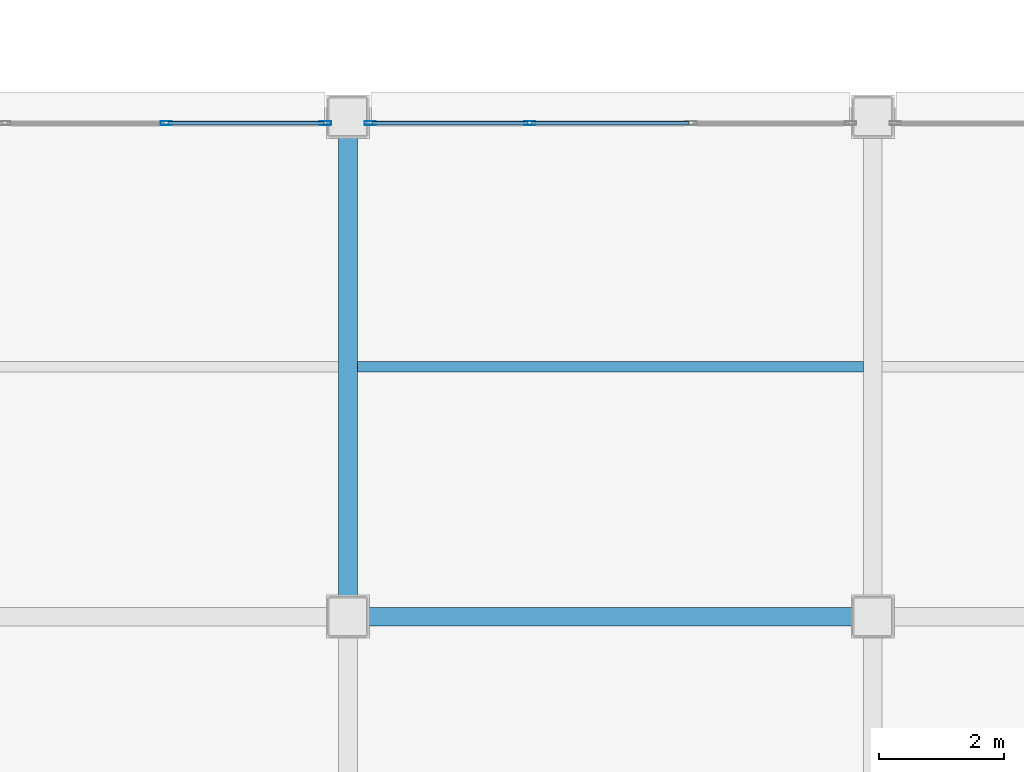
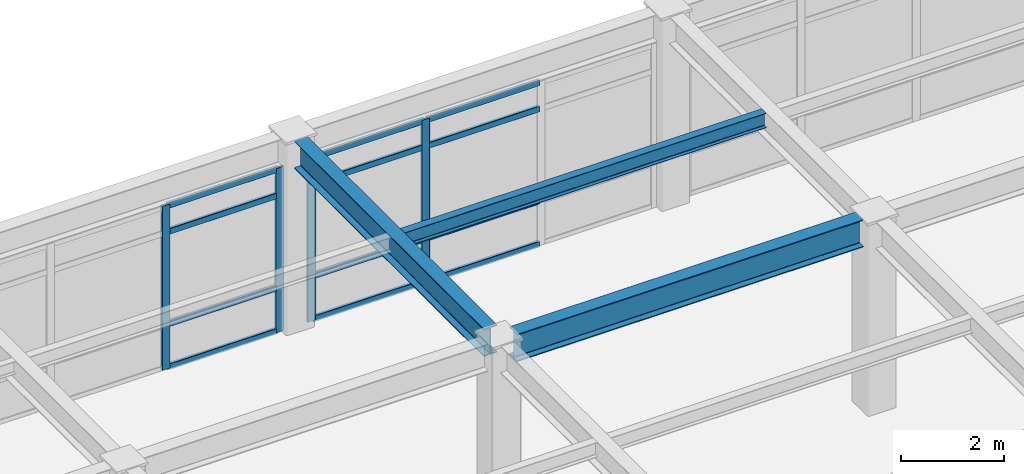
# One storey, part 32 of 93: 16 members, 3 beams, 2 elements without a shape of their own.
"""IFC4 building model written with IfcOpenShell, lengths in metres."""

from ifc_helpers import new_model, si_unit, direction, frame, origin, origin_2d, place, context, subcontext, project, spatial, hollow_rectangle, i_section, extrude, material, layer, layer_set, material_profile, profile_set, type_object, element, aggregate, save


model = new_model("IFC4")

# Units and contexts
model_context = context("Model", 3, precision=1e-05, world=origin(), true_north=direction((0.0, 1.0)))
body_context = subcontext(model_context, "Body", "Model", "MODEL_VIEW")
ifc_project = project(units=[si_unit("LENGTHUNIT", "METRE"), si_unit("AREAUNIT", "SQUARE_METRE"), si_unit("VOLUMEUNIT", "CUBIC_METRE"), si_unit("PLANEANGLEUNIT", "RADIAN"), si_unit("MASSUNIT", "GRAM", prefix="KILO")], contexts=[model_context])

# Site, building, storey
site_placement = place(None, origin())
site = spatial("IfcSite", under=ifc_project, at=site_placement, CompositionType="ELEMENT")
building_placement = place(site_placement, origin())
building = spatial("IfcBuilding", under=site, at=building_placement, Name="Kazehara Bluff Congress Hotel", CompositionType="ELEMENT")
storey_placement = place(building_placement, frame((0.0, 0.0, 15.0)))
storey = spatial("IfcBuildingStorey", under=building, at=storey_placement, Name="L03", CompositionType="ELEMENT", Elevation=15.0)

# Curtain wall, members
ifc_material_1 = material(Name="Anodised aluminium", Category="aluminium")
ifc_layer = layer(ifc_material_1, 0.159912109375)
ifc_layer_set = layer_set([ifc_layer], Name="Anodised aluminium")
curtain_wall_type = type_object("IfcCurtainWallType", Name="TP-CW-24", PredefinedType="NOTDEFINED", material=ifc_layer_set)
curtain_wall_1_placement = place(storey_placement, origin())
curtain_wall_1 = element("IfcCurtainWall", 1, at=curtain_wall_1_placement, inside=storey, type_object=curtain_wall_type, Name="L03 curtain wall CW-24 CW-ENC-V5-L03-12270-3190", PredefinedType="NOTDEFINED")
ifc_material_2 = material(Name="Anodised aluminium", Category="aluminium")
ifc_material_profile_1 = material_profile(ifc_material_2, hollow_rectangle(XDim=0.06494140625, YDim=0.179931640625, WallThickness=0.00390625, InnerFilletRadius=0.00390625, OuterFilletRadius=0.008056640625, at=origin_2d()))
ifc_profile_set_1 = profile_set([ifc_material_profile_1], Name="Anodised aluminium")
member_type_1 = type_object("IfcMemberType", Name="TP-CWM-02", PredefinedType="MULLION", material=ifc_profile_set_1)
member_1_placement = place(storey_placement, frame((123.99169921875, 31.89990234375, 0.0), z_axis=(0.0, 0.0, 1.0), x_axis=(0.0, 1.0, 0.0)))
member_1 = element("IfcMember", 2, at=member_1_placement, type_object=member_type_1, Name="CW-24 mullion 3", PredefinedType="MULLION", context=body_context, shape_type="SweptSolid", body=[
    extrude(hollow_rectangle(XDim=0.06494140625, YDim=0.179931640625, WallThickness=0.00390625, InnerFilletRadius=0.00390625, OuterFilletRadius=0.008056640625, at=origin_2d()), origin(), (0.0, 0.0, 1.0), 3.885009765625),
])
member_2_placement = place(storey_placement, frame((126.54248046875, 31.89990234375, 0.0), z_axis=(0.0, 0.0, 1.0), x_axis=(0.0, 1.0, 0.0)))
member_2 = element("IfcMember", 3, at=member_2_placement, type_object=member_type_1, Name="CW-24 mullion 4", PredefinedType="MULLION", context=body_context, shape_type="SweptSolid", body=[
    extrude(hollow_rectangle(XDim=0.06494140625, YDim=0.179931640625, WallThickness=0.00390625, InnerFilletRadius=0.00390625, OuterFilletRadius=0.008056640625, at=origin_2d()), origin(), (0.0, 0.0, 1.0), 3.885009765625),
])

curtain_wall_2_placement = place(storey_placement, origin())
curtain_wall_2 = element("IfcCurtainWall", 4, at=curtain_wall_2_placement, inside=storey, type_object=curtain_wall_type, Name="L03 curtain wall CW-24 CW-ENC-V5-L03-13110-3190", PredefinedType="NOTDEFINED")
member_3_placement = place(storey_placement, frame((127.257568359375, 31.89990234375, 0.0), z_axis=(0.0, 0.0, 1.0), x_axis=(0.0, 1.0, 0.0)))
member_3 = element("IfcMember", 5, at=member_3_placement, type_object=member_type_1, Name="CW-24 mullion 1", PredefinedType="MULLION", context=body_context, shape_type="SweptSolid", body=[
    extrude(hollow_rectangle(XDim=0.06494140625, YDim=0.179931640625, WallThickness=0.00390625, InnerFilletRadius=0.00390625, OuterFilletRadius=0.008056640625, at=origin_2d()), origin(), (0.0, 0.0, 1.0), 3.885009765625),
])
member_4_placement = place(storey_placement, frame((129.808349609375, 31.89990234375, 0.0), z_axis=(0.0, 0.0, 1.0), x_axis=(0.0, 1.0, 0.0)))
member_4 = element("IfcMember", 6, at=member_4_placement, type_object=member_type_1, Name="CW-24 mullion 2", PredefinedType="MULLION", context=body_context, shape_type="SweptSolid", body=[
    extrude(hollow_rectangle(XDim=0.06494140625, YDim=0.179931640625, WallThickness=0.00390625, InnerFilletRadius=0.00390625, OuterFilletRadius=0.008056640625, at=origin_2d()), origin(), (0.0, 0.0, 1.0), 3.885009765625),
])

# Member
ifc_material_3 = material(Name="Anodised aluminium", Category="aluminium")
ifc_material_profile_2 = material_profile(ifc_material_3, hollow_rectangle(XDim=0.06494140625, YDim=0.139892578125, WallThickness=0.00390625, InnerFilletRadius=0.00390625, OuterFilletRadius=0.008056640625, at=origin_2d()))
ifc_profile_set_2 = profile_set([ifc_material_profile_2], Name="Anodised aluminium")
member_type_2 = type_object("IfcMemberType", Name="TP-CWT-02", PredefinedType="USERDEFINED", material=ifc_profile_set_2)
member_5_placement = place(storey_placement, frame((124.024169921875, 31.89990234375, 0.032470703125), z_axis=(1.0, 0.0, 0.0), x_axis=(0.0, 1.0, 0.0)))
member_5 = element("IfcMember", 7, at=member_5_placement, type_object=member_type_2, Name="CW-24 transom 3.1", ObjectType="TRANSOM", PredefinedType="USERDEFINED", context=body_context, shape_type="SweptSolid", body=[
    extrude(hollow_rectangle(XDim=0.06494140625, YDim=0.139892578125, WallThickness=0.00390625, InnerFilletRadius=0.00390625, OuterFilletRadius=0.008056640625, at=origin_2d()), origin(), (0.0, 0.0, 1.0), 2.48583984375),
])

member_6_placement = place(storey_placement, frame((124.024169921875, 31.89990234375, 1.050048828125), z_axis=(1.0, 0.0, 0.0), x_axis=(0.0, 1.0, 0.0)))
member_6 = element("IfcMember", 8, at=member_6_placement, type_object=member_type_2, Name="CW-24 transom 3.2", ObjectType="TRANSOM", PredefinedType="USERDEFINED", context=body_context, shape_type="SweptSolid", body=[
    extrude(hollow_rectangle(XDim=0.06494140625, YDim=0.139892578125, WallThickness=0.00390625, InnerFilletRadius=0.00390625, OuterFilletRadius=0.008056640625, at=origin_2d()), origin(), (0.0, 0.0, 1.0), 2.48583984375),
])

member_7_placement = place(storey_placement, frame((124.024169921875, 31.89990234375, 3.235107421875), z_axis=(1.0, 0.0, 0.0), x_axis=(0.0, 1.0, 0.0)))
member_7 = element("IfcMember", 9, at=member_7_placement, type_object=member_type_2, Name="CW-24 transom 3.3", ObjectType="TRANSOM", PredefinedType="USERDEFINED", context=body_context, shape_type="SweptSolid", body=[
    extrude(hollow_rectangle(XDim=0.06494140625, YDim=0.139892578125, WallThickness=0.00390625, InnerFilletRadius=0.00390625, OuterFilletRadius=0.008056640625, at=origin_2d()), origin(), (0.0, 0.0, 1.0), 2.48583984375),
])

member_8_placement = place(storey_placement, frame((124.024169921875, 31.89990234375, 3.8525390625), z_axis=(1.0, 0.0, 0.0), x_axis=(0.0, 1.0, 0.0)))
member_8 = element("IfcMember", 10, at=member_8_placement, type_object=member_type_2, Name="CW-24 transom 3.4", ObjectType="TRANSOM", PredefinedType="USERDEFINED", context=body_context, shape_type="SweptSolid", body=[
    extrude(hollow_rectangle(XDim=0.06494140625, YDim=0.139892578125, WallThickness=0.00390625, InnerFilletRadius=0.00390625, OuterFilletRadius=0.008056640625, at=origin_2d()), origin(), (0.0, 0.0, 1.0), 2.48583984375),
])

aggregate(curtain_wall_1, [member_1, member_2, member_5, member_6, member_7, member_8])

member_9_placement = place(storey_placement, frame((127.2900390625, 31.89990234375, 0.032470703125), z_axis=(1.0, 0.0, 0.0), x_axis=(0.0, 1.0, 0.0)))
member_9 = element("IfcMember", 11, at=member_9_placement, type_object=member_type_2, Name="CW-24 transom 1.1", ObjectType="TRANSOM", PredefinedType="USERDEFINED", context=body_context, shape_type="SweptSolid", body=[
    extrude(hollow_rectangle(XDim=0.06494140625, YDim=0.139892578125, WallThickness=0.00390625, InnerFilletRadius=0.00390625, OuterFilletRadius=0.008056640625, at=origin_2d()), origin(), (0.0, 0.0, 1.0), 2.48583984375),
])

member_10_placement = place(storey_placement, frame((127.2900390625, 31.89990234375, 1.050048828125), z_axis=(1.0, 0.0, 0.0), x_axis=(0.0, 1.0, 0.0)))
member_10 = element("IfcMember", 12, at=member_10_placement, type_object=member_type_2, Name="CW-24 transom 1.2", ObjectType="TRANSOM", PredefinedType="USERDEFINED", context=body_context, shape_type="SweptSolid", body=[
    extrude(hollow_rectangle(XDim=0.06494140625, YDim=0.139892578125, WallThickness=0.00390625, InnerFilletRadius=0.00390625, OuterFilletRadius=0.008056640625, at=origin_2d()), origin(), (0.0, 0.0, 1.0), 2.48583984375),
])

member_11_placement = place(storey_placement, frame((127.2900390625, 31.89990234375, 3.235107421875), z_axis=(1.0, 0.0, 0.0), x_axis=(0.0, 1.0, 0.0)))
member_11 = element("IfcMember", 13, at=member_11_placement, type_object=member_type_2, Name="CW-24 transom 1.3", ObjectType="TRANSOM", PredefinedType="USERDEFINED", context=body_context, shape_type="SweptSolid", body=[
    extrude(hollow_rectangle(XDim=0.06494140625, YDim=0.139892578125, WallThickness=0.00390625, InnerFilletRadius=0.00390625, OuterFilletRadius=0.008056640625, at=origin_2d()), origin(), (0.0, 0.0, 1.0), 2.48583984375),
])

member_12_placement = place(storey_placement, frame((127.2900390625, 31.89990234375, 3.8525390625), z_axis=(1.0, 0.0, 0.0), x_axis=(0.0, 1.0, 0.0)))
member_12 = element("IfcMember", 14, at=member_12_placement, type_object=member_type_2, Name="CW-24 transom 1.4", ObjectType="TRANSOM", PredefinedType="USERDEFINED", context=body_context, shape_type="SweptSolid", body=[
    extrude(hollow_rectangle(XDim=0.06494140625, YDim=0.139892578125, WallThickness=0.00390625, InnerFilletRadius=0.00390625, OuterFilletRadius=0.008056640625, at=origin_2d()), origin(), (0.0, 0.0, 1.0), 2.48583984375),
])

member_13_placement = place(storey_placement, frame((129.8408203125, 31.89990234375, 0.032470703125), z_axis=(1.0, 0.0, 0.0), x_axis=(0.0, 1.0, 0.0)))
member_13 = element("IfcMember", 15, at=member_13_placement, type_object=member_type_2, Name="CW-24 transom 2.1", ObjectType="TRANSOM", PredefinedType="USERDEFINED", context=body_context, shape_type="SweptSolid", body=[
    extrude(hollow_rectangle(XDim=0.06494140625, YDim=0.139892578125, WallThickness=0.00390625, InnerFilletRadius=0.00390625, OuterFilletRadius=0.008056640625, at=origin_2d()), origin(), (0.0, 0.0, 1.0), 2.518310546875),
])

member_14_placement = place(storey_placement, frame((129.8408203125, 31.89990234375, 1.050048828125), z_axis=(1.0, 0.0, 0.0), x_axis=(0.0, 1.0, 0.0)))
member_14 = element("IfcMember", 16, at=member_14_placement, type_object=member_type_2, Name="CW-24 transom 2.2", ObjectType="TRANSOM", PredefinedType="USERDEFINED", context=body_context, shape_type="SweptSolid", body=[
    extrude(hollow_rectangle(XDim=0.06494140625, YDim=0.139892578125, WallThickness=0.00390625, InnerFilletRadius=0.00390625, OuterFilletRadius=0.008056640625, at=origin_2d()), origin(), (0.0, 0.0, 1.0), 2.518310546875),
])

member_15_placement = place(storey_placement, frame((129.8408203125, 31.89990234375, 3.235107421875), z_axis=(1.0, 0.0, 0.0), x_axis=(0.0, 1.0, 0.0)))
member_15 = element("IfcMember", 17, at=member_15_placement, type_object=member_type_2, Name="CW-24 transom 2.3", ObjectType="TRANSOM", PredefinedType="USERDEFINED", context=body_context, shape_type="SweptSolid", body=[
    extrude(hollow_rectangle(XDim=0.06494140625, YDim=0.139892578125, WallThickness=0.00390625, InnerFilletRadius=0.00390625, OuterFilletRadius=0.008056640625, at=origin_2d()), origin(), (0.0, 0.0, 1.0), 2.518310546875),
])

member_16_placement = place(storey_placement, frame((129.8408203125, 31.89990234375, 3.8525390625), z_axis=(1.0, 0.0, 0.0), x_axis=(0.0, 1.0, 0.0)))
member_16 = element("IfcMember", 18, at=member_16_placement, type_object=member_type_2, Name="CW-24 transom 2.4", ObjectType="TRANSOM", PredefinedType="USERDEFINED", context=body_context, shape_type="SweptSolid", body=[
    extrude(hollow_rectangle(XDim=0.06494140625, YDim=0.139892578125, WallThickness=0.00390625, InnerFilletRadius=0.00390625, OuterFilletRadius=0.008056640625, at=origin_2d()), origin(), (0.0, 0.0, 1.0), 2.518310546875),
])

aggregate(curtain_wall_2, [member_3, member_4, member_9, member_10, member_11, member_12, member_13, member_14, member_15, member_16])

# Beams
ifc_material_4 = material(Name="Steel SN490B", Category="steel")
ifc_material_profile_3 = material_profile(ifc_material_4, i_section(OverallWidth=0.300048828125, OverallDepth=0.64990234375, WebThickness=0.011962890625, FlangeThickness=0.02001953125, FilletRadius=0.012939453125, at=origin_2d()))
ifc_profile_set_3 = profile_set([ifc_material_profile_3], Name="Steel SN490B")
beam_type_1 = type_object("IfcBeamType", Name="TP-G-03", PredefinedType="BEAM", material=ifc_profile_set_3)
beam_1_placement = place(storey_placement, frame((126.89990234375, 24.324951171875, 4.235107421875), z_axis=(0.0, 1.0, 0.0), x_axis=(-1.0, 0.0, 0.0)))
element("IfcBeam", 19, at=beam_1_placement, inside=storey, type_object=beam_type_1, Name="L03 girder G-03 106", PredefinedType="BEAM", context=body_context, shape_type="SweptSolid", body=[
    extrude(i_section(OverallWidth=0.300048828125, OverallDepth=0.64990234375, WebThickness=0.011962890625, FlangeThickness=0.02001953125, FilletRadius=0.012939453125, at=origin_2d()), origin(), (0.0, 0.0, 1.0), 7.35009765625),
])
beam_2_placement = place(storey_placement, frame((127.22509765625, 24.0, 4.235107421875), z_axis=(1.0, 0.0, 0.0), x_axis=(0.0, 1.0, 0.0)))
element("IfcBeam", 20, at=beam_2_placement, inside=storey, type_object=beam_type_1, Name="L03 girder G-03 166", PredefinedType="BEAM", context=body_context, shape_type="SweptSolid", body=[
    extrude(i_section(OverallWidth=0.300048828125, OverallDepth=0.64990234375, WebThickness=0.011962890625, FlangeThickness=0.02001953125, FilletRadius=0.012939453125, at=origin_2d()), origin(), (0.0, 0.0, 1.0), 7.75),
])
ifc_material_5 = material(Name="Steel SN400B", Category="steel")
ifc_material_profile_4 = material_profile(ifc_material_5, i_section(OverallWidth=0.175048828125, OverallDepth=0.35009765625, WebThickness=0.007080078125, FlangeThickness=0.010986328125, FilletRadius=0.012939453125, at=origin_2d()))
ifc_profile_set_4 = profile_set([ifc_material_profile_4], Name="Steel SN400B")
beam_type_2 = type_object("IfcBeamType", Name="TP-J-02", PredefinedType="JOIST", material=ifc_profile_set_4)
beam_3_placement = place(storey_placement, frame((127.050048828125, 28.0, 4.385009765625), z_axis=(1.0, 0.0, 0.0), x_axis=(0.0, 1.0, 0.0)))
element("IfcBeam", 21, at=beam_3_placement, inside=storey, type_object=beam_type_2, Name="L03 secondary joist J-02 27", PredefinedType="JOIST", context=body_context, shape_type="SweptSolid", body=[
    extrude(i_section(OverallWidth=0.175048828125, OverallDepth=0.35009765625, WebThickness=0.007080078125, FlangeThickness=0.010986328125, FilletRadius=0.012939453125, at=origin_2d()), origin(), (0.0, 0.0, 1.0), 8.099853515625),
])

save(model, "model.ifc")
